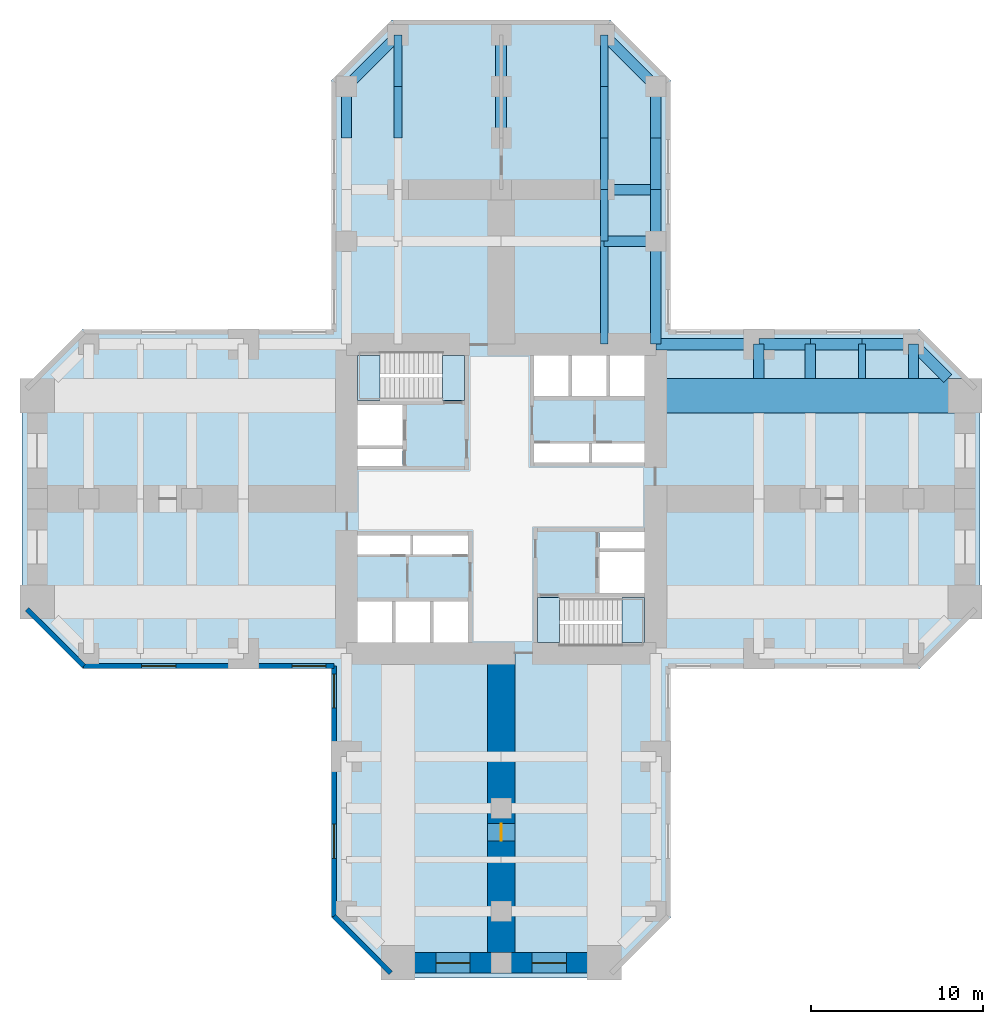
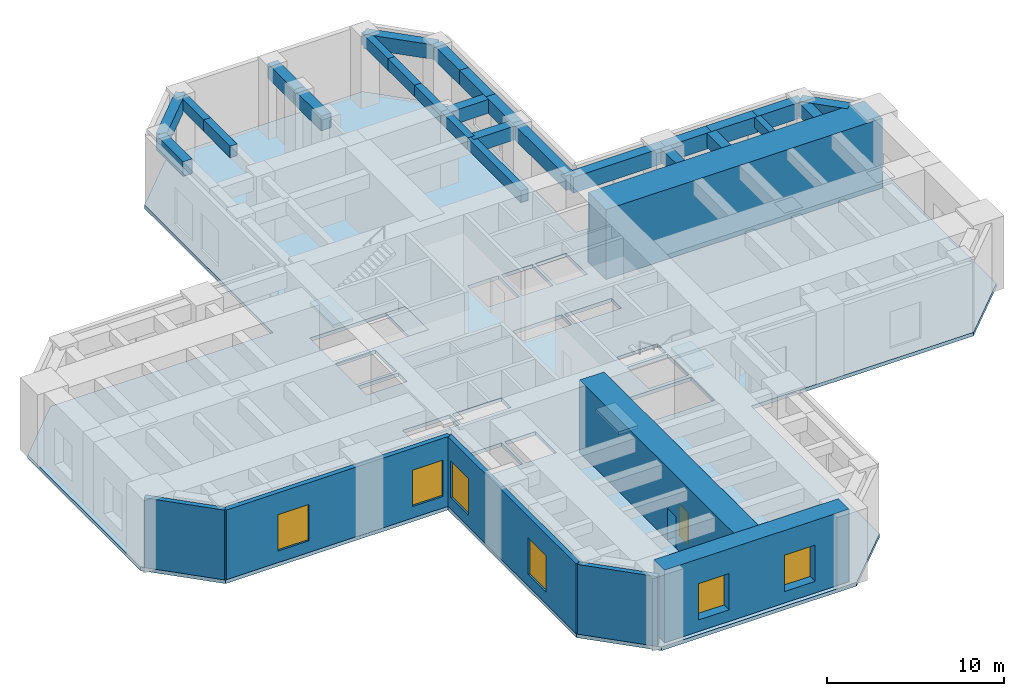
# One storey, part 2 of 6: 28 beams, 6 walls, 6 windows, 5 slabs, 1 door, 7 openings, 2 elements without a shape of their own.
"""IFC4 building model written with IfcOpenShell, lengths in metres."""

from ifc_helpers import new_model, si_unit, direction, frame, frame_2d, origin, origin_2d, place, context, subcontext, project, spatial, polyline, rectangle, hollow_rectangle, outline, extrude, material, layer, layer_set, constituent, constituent_set, material_profile, profile_set, type_object, element, fill, aggregate, save


model = new_model("IFC4")

# Units and contexts
model_context = context("Model", 3, precision=1e-05, world=origin(), true_north=direction((0.0, 1.0)))
body_context = subcontext(model_context, "Body", "Model", "MODEL_VIEW")
ifc_project = project(units=[si_unit("LENGTHUNIT", "METRE"), si_unit("AREAUNIT", "SQUARE_METRE"), si_unit("VOLUMEUNIT", "CUBIC_METRE"), si_unit("PLANEANGLEUNIT", "RADIAN"), si_unit("MASSUNIT", "GRAM", prefix="KILO")], contexts=[model_context])

# Site, building, storey
site_placement = place(None, origin())
site = spatial("IfcSite", under=ifc_project, at=site_placement, CompositionType="ELEMENT")
building_placement = place(site_placement, origin())
building = spatial("IfcBuilding", under=site, at=building_placement, Name="Torre Cruceta", CompositionType="ELEMENT")
storey_placement = place(building_placement, frame((0.0, 0.0, 18.5)))
storey = spatial("IfcBuildingStorey", under=building, at=storey_placement, Name="L04", CompositionType="ELEMENT", Elevation=18.5)

# Beams
ifc_material_1 = material(Name="Concrete G60 (fck 60 MPa)", Category="concrete")
ifc_material_profile_1 = material_profile(ifc_material_1, rectangle(XDim=0.64990234375, YDim=1.0, at=origin_2d()), Name="RC 650X1000")
ifc_profile_set_1 = profile_set([ifc_material_profile_1], Name="Concrete G60 (fck 60 MPa)")
beam_type_1 = type_object("IfcBeamType", Name="ARM CENTRE BEAM RC 650X1000", PredefinedType="BEAM", material=ifc_profile_set_1)
for number, where, z_axis, x_axis, name in (
    (1, (0.0, 21.0, 4.300048828125), (0.0, 1.0, 0.0), (-1.0, 0.0, 0.0), "MB1 L04 N centre 1"),
    (2, (0.0, 24.0, 4.300048828125), (0.0, 1.0, 0.0), (-1.0, 0.0, 0.0), "MB1 L04 N centre 2"),
):
    element("IfcBeam", number, at=place(storey_placement, frame(where, z_axis=z_axis, x_axis=x_axis)), inside=storey, type_object=beam_type_1, Name=name, PredefinedType="BEAM", context=body_context, shape_type="SweptSolid", body=[
        extrude(rectangle(XDim=0.64990234375, YDim=1.0, at=origin_2d()), origin(), (0.0, 0.0, 1.0), 3.0),
    ])
ifc_material_2 = material(Name="Concrete G60 (fck 60 MPa)", Category="concrete")
ifc_material_profile_2 = material_profile(ifc_material_2, rectangle(XDim=0.449951171875, YDim=0.800048828125, at=origin_2d()), Name="RC 450X800")
ifc_profile_set_2 = profile_set([ifc_material_profile_2], Name="Concrete G60 (fck 60 MPa)")
beam_type_2 = type_object("IfcBeamType", Name="COLUMN LINE BEAM RC 450X800", PredefinedType="BEAM", material=ifc_profile_set_2)
beam_1_placement = place(storey_placement, frame((6.0, 9.0, 4.39990234375), z_axis=(0.0, 1.0, 0.0), x_axis=(-1.0, 0.0, 0.0)))
element("IfcBeam", 3, at=beam_1_placement, inside=storey, type_object=beam_type_2, Name="LB1 L04 N col- 1", PredefinedType="BEAM", context=body_context, shape_type="SweptSolid", body=[
    extrude(rectangle(XDim=0.449951171875, YDim=0.800048828125, at=origin_2d()), origin(), (0.0, 0.0, 1.0), 6.0),
])
for number, where, z_axis, x_axis, name in (
    (4, (6.0, 15.0, 4.39990234375), (0.0, 1.0, 0.0), (-1.0, 0.0, 0.0), "LB1 L04 N col- 2"),
    (5, (6.0, 18.0, 4.39990234375), (0.0, 1.0, 0.0), (-1.0, 0.0, 0.0), "LB1 L04 N col- 3"),
    (6, (6.0, 21.0, 4.39990234375), (0.0, 1.0, 0.0), (-1.0, 0.0, 0.0), "LB1 L04 N col- 4"),
    (7, (6.0, 24.0, 4.39990234375), (0.0, 1.0, 0.0), (-1.0, 0.0, 0.0), "LB1 L04 N col- 5"),
    (8, (-6.0, 21.0, 4.39990234375), (0.0, 1.0, 0.0), (-1.0, 0.0, 0.0), "LB1 L04 N col+ 4"),
    (9, (-6.0, 24.0, 4.39990234375), (0.0, 1.0, 0.0), (-1.0, 0.0, 0.0), "LB1 L04 N col+ 5"),
):
    element("IfcBeam", number, at=place(storey_placement, frame(where, z_axis=z_axis, x_axis=x_axis)), inside=storey, type_object=beam_type_2, Name=name, PredefinedType="BEAM", context=body_context, shape_type="SweptSolid", body=[
        extrude(rectangle(XDim=0.449951171875, YDim=0.800048828125, at=origin_2d()), origin(), (0.0, 0.0, 1.0), 3.0),
    ])
ifc_material_3 = material(Name="Concrete G60 (fck 60 MPa)", Category="concrete")
ifc_material_profile_3 = material_profile(ifc_material_3, rectangle(XDim=0.60009765625, YDim=0.949951171875, at=origin_2d()), Name="RC 600X950")
ifc_profile_set_3 = profile_set([ifc_material_profile_3], Name="Concrete G60 (fck 60 MPa)")
beam_type_3 = type_object("IfcBeamType", Name="CROSS BEAM RC 600X950", PredefinedType="BEAM", material=ifc_profile_set_3)
for number, where, z_axis, x_axis, name in (
    (10, (9.0, 15.0, 4.324951171875), (-1.0, 0.0, 0.0), (0.0, -1.0, 0.0), "GB1 L04 N cross15 1"),
    (11, (9.0, 18.0, 4.324951171875), (-1.0, 0.0, 0.0), (0.0, -1.0, 0.0), "GB1 L04 N cross18 1"),
):
    element("IfcBeam", number, at=place(storey_placement, frame(where, z_axis=z_axis, x_axis=x_axis)), inside=storey, type_object=beam_type_3, Name=name, PredefinedType="BEAM", context=body_context, shape_type="SweptSolid", body=[
        extrude(rectangle(XDim=0.60009765625, YDim=0.949951171875, at=origin_2d()), origin(), (0.0, 0.0, 1.0), 3.0),
    ])
for number, where, z_axis, x_axis, name in (
    (12, (15.0, 7.0, 4.324951171875), (0.0, 1.0, 0.0), (-1.0, 0.0, 0.0), "GB1 L04 E cross15 4"),
    (13, (18.0, 7.0, 4.324951171875), (0.0, 1.0, 0.0), (-1.0, 0.0, 0.0), "GB1 L04 E cross18 4"),
    (14, (24.0, 7.0, 4.324951171875), (0.0, 1.0, 0.0), (-1.0, 0.0, 0.0), "GB1 L04 E cross24 4"),
):
    element("IfcBeam", number, at=place(storey_placement, frame(where, z_axis=z_axis, x_axis=x_axis)), inside=storey, type_object=beam_type_3, Name=name, PredefinedType="BEAM", context=body_context, shape_type="SweptSolid", body=[
        extrude(rectangle(XDim=0.60009765625, YDim=0.949951171875, at=origin_2d()), origin(), (0.0, 0.0, 1.0), 2.0),
    ])
ifc_material_4 = material(Name="Concrete G60 (fck 60 MPa)", Category="concrete")
ifc_material_profile_4 = material_profile(ifc_material_4, rectangle(XDim=0.39990234375, YDim=0.699951171875, at=origin_2d()), Name="RC 400X700")
ifc_profile_set_4 = profile_set([ifc_material_profile_4], Name="Concrete G60 (fck 60 MPa)")
beam_type_4 = type_object("IfcBeamType", Name="SECONDARY BEAM RC 400X700", PredefinedType="JOIST", material=ifc_profile_set_4)
beam_2_placement = place(storey_placement, frame((21.0, 7.0, 4.449951171875), z_axis=(0.0, 1.0, 0.0), x_axis=(-1.0, 0.0, 0.0)))
element("IfcBeam", 15, at=beam_2_placement, inside=storey, type_object=beam_type_4, Name="JB1 L04 E sec21 4", PredefinedType="JOIST", context=body_context, shape_type="SweptSolid", body=[
    extrude(rectangle(XDim=0.39990234375, YDim=0.699951171875, at=origin_2d()), origin(), (0.0, 0.0, 1.0), 2.0),
])
ifc_material_5 = material(Name="Concrete G60 (fck 60 MPa)", Category="concrete")
ifc_material_profile_5 = material_profile(ifc_material_5, rectangle(XDim=0.60009765625, YDim=1.0, at=origin_2d()), Name="RC 600X1000")
ifc_profile_set_5 = profile_set([ifc_material_profile_5], Name="Concrete G60 (fck 60 MPa)")
beam_type_5 = type_object("IfcBeamType", Name="SPANDREL BEAM RC 600X1000", PredefinedType="SPANDREL", material=ifc_profile_set_5)
beam_3_placement = place(storey_placement, frame((9.0, 9.0, 4.300048828125), z_axis=(0.0, 1.0, 0.0), x_axis=(-1.0, 0.0, 0.0)))
element("IfcBeam", 16, at=beam_3_placement, inside=storey, type_object=beam_type_5, Name="SB1 L04 N side- 1", PredefinedType="SPANDREL", context=body_context, shape_type="SweptSolid", body=[
    extrude(rectangle(XDim=0.60009765625, YDim=1.0, at=origin_2d()), origin(), (0.0, 0.0, 1.0), 6.0),
])
for number, where, z_axis, x_axis, name in (
    (17, (9.0, 15.0, 4.300048828125), (0.0, 1.0, 0.0), (-1.0, 0.0, 0.0), "SB1 L04 N side- 2"),
    (18, (9.0, 18.0, 4.300048828125), (0.0, 1.0, 0.0), (-1.0, 0.0, 0.0), "SB1 L04 N side- 3"),
    (19, (9.0, 21.0, 4.300048828125), (0.0, 1.0, 0.0), (-1.0, 0.0, 0.0), "SB1 L04 N side- 4"),
):
    element("IfcBeam", number, at=place(storey_placement, frame(where, z_axis=z_axis, x_axis=x_axis)), inside=storey, type_object=beam_type_5, Name=name, PredefinedType="SPANDREL", context=body_context, shape_type="SweptSolid", body=[
        extrude(rectangle(XDim=0.60009765625, YDim=1.0, at=origin_2d()), origin(), (0.0, 0.0, 1.0), 3.0),
    ])
beam_4_placement = place(storey_placement, frame((9.0, 24.0, 4.300048828125), z_axis=(-0.707106781187, 0.707106781187, 0.0), x_axis=(-0.707106781187, -0.707106781187, 0.0)))
element("IfcBeam", 20, at=beam_4_placement, inside=storey, type_object=beam_type_5, Name="SB1 L04 N side- 5", PredefinedType="SPANDREL", context=body_context, shape_type="SweptSolid", body=[
    extrude(rectangle(XDim=0.60009765625, YDim=1.0, at=origin_2d()), origin(), (0.0, 0.0, 1.0), 4.24267578125),
])
beam_5_placement = place(storey_placement, frame((-9.0, 21.0, 4.300048828125), z_axis=(0.0, 1.0, 0.0), x_axis=(-1.0, 0.0, 0.0)))
element("IfcBeam", 21, at=beam_5_placement, inside=storey, type_object=beam_type_5, Name="SB1 L04 N side+ 4", PredefinedType="SPANDREL", context=body_context, shape_type="SweptSolid", body=[
    extrude(rectangle(XDim=0.60009765625, YDim=1.0, at=origin_2d()), origin(), (0.0, 0.0, 1.0), 3.0),
])
beam_6_placement = place(storey_placement, frame((-9.0, 24.0, 4.300048828125), z_axis=(0.707106781187, 0.707106781187, 0.0), x_axis=(-0.707106781187, 0.707106781187, 0.0)))
element("IfcBeam", 22, at=beam_6_placement, inside=storey, type_object=beam_type_5, Name="SB1 L04 N side+ 5", PredefinedType="SPANDREL", context=body_context, shape_type="SweptSolid", body=[
    extrude(rectangle(XDim=0.60009765625, YDim=1.0, at=origin_2d()), origin(), (0.0, 0.0, 1.0), 4.24267578125),
])
ifc_material_6 = material(Name="Concrete G60 (fck 60 MPa)", Category="concrete")
ifc_material_profile_6 = material_profile(ifc_material_6, rectangle(XDim=0.64990234375, YDim=1.10009765625, at=origin_2d()), Name="RC 650X1100")
ifc_profile_set_6 = profile_set([ifc_material_profile_6], Name="Concrete G60 (fck 60 MPa)")
beam_type_6 = type_object("IfcBeamType", Name="SPANDREL BEAM RC 650X1100", PredefinedType="SPANDREL", material=ifc_profile_set_6)
beam_7_placement = place(storey_placement, frame((9.0, 9.0, 4.25), z_axis=(1.0, 0.0, 0.0), x_axis=(0.0, 1.0, 0.0)))
element("IfcBeam", 23, at=beam_7_placement, inside=storey, type_object=beam_type_6, Name="SB3 L04 E side+ 1", PredefinedType="SPANDREL", context=body_context, shape_type="SweptSolid", body=[
    extrude(rectangle(XDim=0.64990234375, YDim=1.10009765625, at=origin_2d()), origin(), (0.0, 0.0, 1.0), 6.0),
])
for number, where, z_axis, x_axis, name in (
    (24, (15.0, 9.0, 4.25), (1.0, 0.0, 0.0), (0.0, 1.0, 0.0), "SB3 L04 E side+ 2"),
    (25, (18.0, 9.0, 4.25), (1.0, 0.0, 0.0), (0.0, 1.0, 0.0), "SB3 L04 E side+ 3"),
    (26, (21.0, 9.0, 4.25), (1.0, 0.0, 0.0), (0.0, 1.0, 0.0), "SB3 L04 E side+ 4"),
):
    element("IfcBeam", number, at=place(storey_placement, frame(where, z_axis=z_axis, x_axis=x_axis)), inside=storey, type_object=beam_type_6, Name=name, PredefinedType="SPANDREL", context=body_context, shape_type="SweptSolid", body=[
        extrude(rectangle(XDim=0.64990234375, YDim=1.10009765625, at=origin_2d()), origin(), (0.0, 0.0, 1.0), 3.0),
    ])
beam_8_placement = place(storey_placement, frame((24.0, 9.0, 4.25), z_axis=(0.707106781187, -0.707106781187, 0.0), x_axis=(0.707106781187, 0.707106781187, 0.0)))
element("IfcBeam", 27, at=beam_8_placement, inside=storey, type_object=beam_type_6, Name="SB3 L04 E side+ 5", PredefinedType="SPANDREL", context=body_context, shape_type="SweptSolid", body=[
    extrude(rectangle(XDim=0.64990234375, YDim=1.10009765625, at=origin_2d()), origin(), (0.0, 0.0, 1.0), 2.828369140625),
])
ifc_material_7 = material(Name="Concrete G60 (fck 60 MPa)", Category="concrete")
ifc_material_profile_7 = material_profile(ifc_material_7, rectangle(XDim=2.0, YDim=4.800048828125, at=origin_2d()), Name="RC 2000X4800")
ifc_profile_set_7 = profile_set([ifc_material_profile_7], Name="Concrete G60 (fck 60 MPa)")
beam_type_7 = type_object("IfcBeamType", Name="TRANSFER GIRDER RC 2000X4800", PredefinedType="BEAM", material=ifc_profile_set_7)
beam_9_placement = place(storey_placement, frame((9.0, 6.0, 2.39990234375), z_axis=(1.0, 0.0, 0.0), x_axis=(0.0, 1.0, 0.0)))
element("IfcBeam", 28, at=beam_9_placement, inside=storey, type_object=beam_type_7, Name="TG1 L04 E col+", PredefinedType="BEAM", context=body_context, shape_type="SweptSolid", body=[
    extrude(rectangle(XDim=2.0, YDim=4.800048828125, at=origin_2d()), origin(), (0.0, 0.0, 1.0), 18.0),
])

# Slab
ifc_material_8 = material(Name="Concrete G35 (fck 35 MPa)", Category="concrete")
ifc_layer_1 = layer(ifc_material_8, 0.25)
ifc_layer_set_1 = layer_set([ifc_layer_1], Name="Concrete G35 (fck 35 MPa)")
slab_type_1 = type_object("IfcSlabType", Name="FLOOR SLAB 250", PredefinedType="FLOOR", material=ifc_layer_set_1)
slab_1_placement = place(storey_placement, frame((0.0, 0.0, -0.25)))
element("IfcSlab", 29, at=slab_1_placement, inside=storey, type_object=slab_type_1, Name="Floor Slab L04", PredefinedType="FLOOR", context=body_context, shape_type="SweptSolid", body=[
    extrude(outline(polyline([(9.8701171875, -9.8701171875), (9.8701171875, -24.3603515625), (6.3603515625, -27.8701171875), (-6.3603515625, -27.8701171875), (-9.8701171875, -24.3603515625), (-9.8701171875, -9.8701171875), (-24.3603515625, -9.8701171875), (-27.8701171875, -6.3603515625), (-27.8701171875, 6.3603515625), (-24.3603515625, 9.8701171875), (-9.8701171875, 9.8701171875), (-9.8701171875, 24.3603515625), (-6.3603515625, 27.8701171875), (6.3603515625, 27.8701171875), (9.8701171875, 24.3603515625), (9.8701171875, 9.8701171875), (24.3603515625, 9.8701171875), (27.8701171875, 6.3603515625), (27.8701171875, -6.3603515625), (24.3603515625, -9.8701171875), (9.8701171875, -9.8701171875)]), holes=[polyline([(1.925048828125, 5.97509765625), (3.933349609375, 5.97509765625), (3.933349609375, 8.35009765625), (1.925048828125, 8.35009765625), (1.925048828125, 5.97509765625)]), polyline([(4.13330078125, 5.97509765625), (6.1416015625, 5.97509765625), (6.1416015625, 8.35009765625), (4.13330078125, 8.35009765625), (4.13330078125, 5.97509765625)]), polyline([(6.341552734375, 5.97509765625), (8.35009765625, 5.97509765625), (8.35009765625, 8.35009765625), (6.341552734375, 8.35009765625), (6.341552734375, 5.97509765625)]), polyline([(1.925048828125, 2.125), (5.125, 2.125), (5.125, 3.22509765625), (1.925048828125, 3.22509765625), (1.925048828125, 2.125)]), polyline([(5.27490234375, 2.125), (8.35009765625, 2.125), (8.35009765625, 3.22509765625), (5.27490234375, 3.22509765625), (5.27490234375, 2.125)]), polyline([(-8.35009765625, 3.10009765625), (-5.72509765625, 3.10009765625), (-5.72509765625, 5.47509765625), (-8.35009765625, 5.47509765625), (-8.35009765625, 3.10009765625)]), polyline([(-8.35009765625, 1.925048828125), (-5.72509765625, 1.925048828125), (-5.72509765625, 2.89990234375), (-8.35009765625, 2.89990234375), (-8.35009765625, 1.925048828125)]), polyline([(-3.933349609375, -8.35009765625), (-1.925048828125, -8.35009765625), (-1.925048828125, -5.97509765625), (-3.933349609375, -5.97509765625), (-3.933349609375, -8.35009765625)]), polyline([(-6.1416015625, -8.35009765625), (-4.13330078125, -8.35009765625), (-4.13330078125, -5.97509765625), (-6.1416015625, -5.97509765625), (-6.1416015625, -8.35009765625)]), polyline([(-8.35009765625, -8.35009765625), (-6.341552734375, -8.35009765625), (-6.341552734375, -5.97509765625), (-8.35009765625, -5.97509765625), (-8.35009765625, -8.35009765625)]), polyline([(-5.125, -3.22509765625), (-1.925048828125, -3.22509765625), (-1.925048828125, -2.125), (-5.125, -2.125), (-5.125, -3.22509765625)]), polyline([(-8.35009765625, -3.22509765625), (-5.27490234375, -3.22509765625), (-5.27490234375, -2.125), (-8.35009765625, -2.125), (-8.35009765625, -3.22509765625)]), polyline([(5.72509765625, -5.47509765625), (8.35009765625, -5.47509765625), (8.35009765625, -3.10009765625), (5.72509765625, -3.10009765625), (5.72509765625, -5.47509765625)]), polyline([(5.72509765625, -2.89990234375), (8.35009765625, -2.89990234375), (8.35009765625, -1.925048828125), (5.72509765625, -1.925048828125), (5.72509765625, -2.89990234375)]), polyline([(-8.35009765625, 5.72509765625), (-8.35009765625, 8.35009765625), (-3.39990234375, 8.35009765625), (-2.125, 8.35009765625), (-2.125, 5.72509765625), (-3.39990234375, 5.72509765625), (-8.35009765625, 5.72509765625)]), polyline([(2.125, -5.72509765625), (3.39990234375, -5.72509765625), (8.35009765625, -5.72509765625), (8.35009765625, -8.35009765625), (3.39990234375, -8.35009765625), (2.125, -8.35009765625), (2.125, -5.72509765625)])]), origin(), (0.0, 0.0, 1.0), 0.25),
])

# Stair, slab
ifc_material_9 = material(Name="Concrete G30 (fck 30 MPa)", Category="concrete")
stair_type = type_object("IfcStairType", Name="STAIR HALF-TURN 1300", PredefinedType="HALF_TURN_STAIR", material=ifc_material_9)
stair_1_placement = place(storey_placement, origin())
stair_1 = element("IfcStair", 30, at=stair_1_placement, inside=storey, type_object=stair_type, Name="Stair ST1 L04", PredefinedType="HALF_TURN_STAIR")
ifc_material_10 = material(Name="Concrete G30 (fck 30 MPa)", Category="concrete")
ifc_layer_2 = layer(ifc_material_10, 0.199951171875)
ifc_layer_set_2 = layer_set([ifc_layer_2], Name="Concrete G30 (fck 30 MPa)")
slab_type_2 = type_object("IfcSlabType", Name="STAIR LANDING 200", PredefinedType="LANDING", material=ifc_layer_set_2)
slab_2_placement = place(storey_placement, frame((0.0, 0.0, 2.300048828125)))
slab_2 = element("IfcSlab", 31, at=slab_2_placement, type_object=slab_type_2, Name="ST1 landing 1", PredefinedType="LANDING", context=body_context, shape_type="SweptSolid", body=[
    extrude(outline(polyline([(-8.35009765625, 5.72509765625), (-7.0400390625, 5.72509765625), (-7.0400390625, 8.35009765625), (-8.35009765625, 8.35009765625), (-8.35009765625, 5.72509765625)])), origin(), (0.0, 0.0, 1.0), 0.199951171875),
])
aggregate(stair_1, [slab_2])

stair_2_placement = place(storey_placement, origin())
stair_2 = element("IfcStair", 32, at=stair_2_placement, inside=storey, type_object=stair_type, Name="Stair ST2 L04", PredefinedType="HALF_TURN_STAIR")
slab_3_placement = place(storey_placement, frame((0.0, 0.0, 2.300048828125)))
slab_3 = element("IfcSlab", 33, at=slab_3_placement, type_object=slab_type_2, Name="ST2 landing 1", PredefinedType="LANDING", context=body_context, shape_type="SweptSolid", body=[
    extrude(outline(polyline([(7.0400390625, -8.35009765625), (8.35009765625, -8.35009765625), (8.35009765625, -5.72509765625), (7.0400390625, -5.72509765625), (7.0400390625, -8.35009765625)])), origin(), (0.0, 0.0, 1.0), 0.199951171875),
])
aggregate(stair_2, [slab_3])

# Slabs
slab_4_placement = place(storey_placement, frame((0.0, 0.0, -0.199951171875)))
element("IfcSlab", 34, at=slab_4_placement, inside=storey, type_object=slab_type_2, Name="Stair ST1 floor landing L04", PredefinedType="LANDING", context=body_context, shape_type="SweptSolid", body=[
    extrude(outline(polyline([(-2.125, 8.35009765625), (-2.125, 5.72509765625), (-3.39990234375, 5.72509765625), (-3.39990234375, 8.35009765625), (-2.125, 8.35009765625)])), origin(), (0.0, 0.0, 1.0), 0.199951171875),
])
slab_5_placement = place(storey_placement, frame((0.0, 0.0, -0.199951171875)))
element("IfcSlab", 35, at=slab_5_placement, inside=storey, type_object=slab_type_2, Name="Stair ST2 floor landing L04", PredefinedType="LANDING", context=body_context, shape_type="SweptSolid", body=[
    extrude(outline(polyline([(2.125, -8.35009765625), (2.125, -5.72509765625), (3.39990234375, -5.72509765625), (3.39990234375, -8.35009765625), (2.125, -8.35009765625)])), origin(), (0.0, 0.0, 1.0), 0.199951171875),
])

# Wall
ifc_material_11 = material(Name="Concrete G30 (fck 30 MPa)", Category="concrete")
ifc_layer_3 = layer(ifc_material_11, 0.300048828125)
ifc_layer_set_3 = layer_set([ifc_layer_3], Name="Concrete G30 (fck 30 MPa)")
wall_type_1 = type_object("IfcWallType", Name="EXPOSED CONCRETE FACADE WALL 300", PredefinedType="SOLIDWALL", material=ifc_layer_set_3)
wall_1_placement = place(storey_placement, frame((-27.60009765625, -6.418212890625, 0.0), z_axis=(0.0, 0.0, 1.0), x_axis=(0.707106781187, -0.707106781187, 0.0)))
element("IfcWall", 36, at=wall_1_placement, inside=storey, type_object=wall_type_1, Name="EW1 facade wall L04 W chamfer 13", PredefinedType="SOLIDWALL", context=body_context, shape_type="SweptSolid", body=[
    extrude(rectangle(XDim=4.66943359375, YDim=0.300048828125, at=frame_2d((2.334716796875, 0.0))), origin(), (0.0, 0.0, 1.0), 4.800048828125),
])

# Wall, openings, windows
wall_2_placement = place(storey_placement, frame((-24.29833984375, -9.719970703125, 0.0), z_axis=(0.0, 0.0, 1.0), x_axis=(1.0, 0.0, 0.0)))
wall_2 = element("IfcWall", 37, at=wall_2_placement, inside=storey, type_object=wall_type_1, Name="EW1 facade wall L04 W side 14", PredefinedType="SOLIDWALL", context=body_context, shape_type="SweptSolid", body=[
    extrude(rectangle(XDim=14.578369140625, YDim=0.300048828125, at=frame_2d((7.2890625, 0.0))), origin(), (0.0, 0.0, 1.0), 4.800048828125),
])
opening_1_placement = place(wall_2_placement, frame((3.37353515625, 0.0, 0.800048828125)))
opening_1 = element("IfcOpeningElement", 38, at=opening_1_placement, cuts=wall_2, Name="Opening WN3", PredefinedType="OPENING", context=body_context, shape_type="SweptSolid", body=[
    extrude(rectangle(XDim=2.0, YDim=2.5, at=frame_2d((1.0, 1.25))), frame((0.0, 0.159912109375, 0.0), z_axis=(0.0, -1.0, 0.0), x_axis=(1.0, 0.0, 0.0)), (0.0, 0.0, 1.0), 0.320068359375),
])
opening_2_placement = place(wall_2_placement, frame((12.120361328125, 0.0, 0.800048828125)))
opening_2 = element("IfcOpeningElement", 39, at=opening_2_placement, cuts=wall_2, Name="Opening WN3", PredefinedType="OPENING", context=body_context, shape_type="SweptSolid", body=[
    extrude(rectangle(XDim=2.0, YDim=2.5, at=frame_2d((1.0, 1.25))), frame((0.0, 0.159912109375, 0.0), z_axis=(0.0, -1.0, 0.0), x_axis=(1.0, 0.0, 0.0)), (0.0, 0.0, 1.0), 0.320068359375),
])
ifc_material_12 = material(Name="Aluminium window frame", Category="aluminium")
ifc_constituent_1 = constituent(ifc_material_12, Name="Frame")
ifc_material_13 = material(Name="Laminated insulating glass unit, low-iron clear", Category="glass")
ifc_constituent_2 = constituent(ifc_material_13, Name="Glazing")
ifc_constituent_set_1 = constituent_set(constituents=[ifc_constituent_1, ifc_constituent_2], Name="Aluminium window")
window_type = type_object("IfcWindowType", Name="PLANT LOUVRE 2000X2500", PartitioningType="SINGLE_PANEL", PredefinedType="WINDOW", material=ifc_constituent_set_1)
window_1_placement = place(opening_1_placement, origin())
window_1 = element("IfcWindow", 40, at=window_1_placement, inside=storey, type_object=window_type, Name="WN3 L04 W 2", OverallHeight=2.5, OverallWidth=2.0, PartitioningType="SINGLE_PANEL", PredefinedType="WINDOW", context=body_context, shape_type="SweptSolid", body=[
    extrude(hollow_rectangle(XDim=2.0, YDim=2.5, WallThickness=0.06005859375, at=frame_2d((1.0, 1.25))), frame((0.0, 0.030029296875, 0.0), z_axis=(0.0, -1.0, 0.0), x_axis=(1.0, 0.0, 0.0)), (0.0, 0.0, 1.0), 0.06005859375),
    extrude(rectangle(XDim=1.87890625, YDim=2.37890625, at=frame_2d((1.0, 1.25))), frame((0.0, 0.030029296875, 0.0), z_axis=(0.0, -1.0, 0.0), x_axis=(1.0, 0.0, 0.0)), (0.0, 0.0, 1.0), 0.06005859375),
])
fill(opening_1, window_1)
window_2_placement = place(opening_2_placement, origin())
window_2 = element("IfcWindow", 41, at=window_2_placement, inside=storey, type_object=window_type, Name="WN3 L04 W 5", OverallHeight=2.5, OverallWidth=2.0, PartitioningType="SINGLE_PANEL", PredefinedType="WINDOW", context=body_context, shape_type="SweptSolid", body=[
    extrude(hollow_rectangle(XDim=2.0, YDim=2.5, WallThickness=0.06005859375, at=frame_2d((1.0, 1.25))), frame((0.0, 0.030029296875, 0.0), z_axis=(0.0, -1.0, 0.0), x_axis=(1.0, 0.0, 0.0)), (0.0, 0.0, 1.0), 0.06005859375),
    extrude(rectangle(XDim=1.87890625, YDim=2.37890625, at=frame_2d((1.0, 1.25))), frame((0.0, 0.030029296875, 0.0), z_axis=(0.0, -1.0, 0.0), x_axis=(1.0, 0.0, 0.0)), (0.0, 0.0, 1.0), 0.06005859375),
])
fill(opening_2, window_2)

wall_3_placement = place(storey_placement, frame((-9.719970703125, -9.719970703125, 0.0), z_axis=(0.0, 0.0, 1.0), x_axis=(0.0, -1.0, 0.0)))
wall_3 = element("IfcWall", 42, at=wall_3_placement, inside=storey, type_object=wall_type_1, Name="EW1 facade wall L04 S side 15", PredefinedType="SOLIDWALL", context=body_context, shape_type="SweptSolid", body=[
    extrude(rectangle(XDim=14.578369140625, YDim=0.300048828125, at=frame_2d((7.2890625, 0.0))), origin(), (0.0, 0.0, 1.0), 4.800048828125),
])
opening_3_placement = place(wall_3_placement, frame((0.457763671875, 0.0, 0.800048828125)))
opening_3 = element("IfcOpeningElement", 43, at=opening_3_placement, cuts=wall_3, Name="Opening WN3", PredefinedType="OPENING", context=body_context, shape_type="SweptSolid", body=[
    extrude(rectangle(XDim=2.0, YDim=2.5, at=frame_2d((1.0, 1.25))), frame((0.0, 0.159912109375, 0.0), z_axis=(0.0, -1.0, 0.0), x_axis=(1.0, 0.0, 0.0)), (0.0, 0.0, 1.0), 0.320068359375),
])
opening_4_placement = place(wall_3_placement, frame((9.204833984375, 0.0, 0.800048828125)))
opening_4 = element("IfcOpeningElement", 44, at=opening_4_placement, cuts=wall_3, Name="Opening WN3", PredefinedType="OPENING", context=body_context, shape_type="SweptSolid", body=[
    extrude(rectangle(XDim=2.0, YDim=2.5, at=frame_2d((1.0, 1.25))), frame((0.0, 0.159912109375, 0.0), z_axis=(0.0, -1.0, 0.0), x_axis=(1.0, 0.0, 0.0)), (0.0, 0.0, 1.0), 0.320068359375),
])
window_3_placement = place(opening_3_placement, origin())
window_3 = element("IfcWindow", 45, at=window_3_placement, inside=storey, type_object=window_type, Name="WN3 L04 S 1", OverallHeight=2.5, OverallWidth=2.0, PartitioningType="SINGLE_PANEL", PredefinedType="WINDOW", context=body_context, shape_type="SweptSolid", body=[
    extrude(hollow_rectangle(XDim=2.0, YDim=2.5, WallThickness=0.06005859375, at=frame_2d((1.0, 1.25))), frame((0.0, 0.030029296875, 0.0), z_axis=(0.0, -1.0, 0.0), x_axis=(1.0, 0.0, 0.0)), (0.0, 0.0, 1.0), 0.06005859375),
    extrude(rectangle(XDim=1.87890625, YDim=2.37890625, at=frame_2d((1.0, 1.25))), frame((0.0, 0.030029296875, 0.0), z_axis=(0.0, -1.0, 0.0), x_axis=(1.0, 0.0, 0.0)), (0.0, 0.0, 1.0), 0.06005859375),
])
fill(opening_3, window_3)
window_4_placement = place(opening_4_placement, origin())
window_4 = element("IfcWindow", 46, at=window_4_placement, inside=storey, type_object=window_type, Name="WN3 L04 S 4", OverallHeight=2.5, OverallWidth=2.0, PartitioningType="SINGLE_PANEL", PredefinedType="WINDOW", context=body_context, shape_type="SweptSolid", body=[
    extrude(hollow_rectangle(XDim=2.0, YDim=2.5, WallThickness=0.06005859375, at=frame_2d((1.0, 1.25))), frame((0.0, 0.030029296875, 0.0), z_axis=(0.0, -1.0, 0.0), x_axis=(1.0, 0.0, 0.0)), (0.0, 0.0, 1.0), 0.06005859375),
    extrude(rectangle(XDim=1.87890625, YDim=2.37890625, at=frame_2d((1.0, 1.25))), frame((0.0, 0.030029296875, 0.0), z_axis=(0.0, -1.0, 0.0), x_axis=(1.0, 0.0, 0.0)), (0.0, 0.0, 1.0), 0.06005859375),
])
fill(opening_4, window_4)

# Wall
wall_4_placement = place(storey_placement, frame((-9.719970703125, -24.29833984375, 0.0), z_axis=(0.0, 0.0, 1.0), x_axis=(0.707106781187, -0.707106781187, 0.0)))
element("IfcWall", 47, at=wall_4_placement, inside=storey, type_object=wall_type_1, Name="EW1 facade wall L04 S chamfer 16", PredefinedType="SOLIDWALL", context=body_context, shape_type="SweptSolid", body=[
    extrude(rectangle(XDim=4.66943359375, YDim=0.300048828125, at=frame_2d((2.334716796875, 0.0))), origin(), (0.0, 0.0, 1.0), 4.800048828125),
])

# Wall, openings, windows
ifc_material_14 = material(Name="Concrete G60 (fck 60 MPa)", Category="concrete")
ifc_layer_4 = layer(ifc_material_14, 1.199951171875)
ifc_layer_set_4 = layer_set([ifc_layer_4], Name="Concrete G60 (fck 60 MPa)")
wall_type_2 = type_object("IfcWallType", Name="NOSE WALL 1200 G60", PredefinedType="SHEAR", material=ifc_layer_set_4)
wall_5_placement = place(storey_placement, frame((-6.0, -27.0, 0.0), z_axis=(0.0, 0.0, 1.0), x_axis=(1.0, 0.0, 0.0)))
wall_5 = element("IfcWall", 48, at=wall_5_placement, inside=storey, type_object=wall_type_2, Name="NW1 nose wall L04 S", PredefinedType="SHEAR", context=body_context, shape_type="SweptSolid", body=[
    extrude(rectangle(XDim=12.0, YDim=1.199951171875, at=frame_2d((6.0, 0.0))), origin(), (0.0, 0.0, 1.0), 5.0),
])
opening_5_placement = place(wall_5_placement, frame((2.199951171875, 0.0, 0.800048828125)))
opening_5 = element("IfcOpeningElement", 49, at=opening_5_placement, cuts=wall_5, Name="Opening WN3", PredefinedType="OPENING", context=body_context, shape_type="SweptSolid", body=[
    extrude(rectangle(XDim=2.0, YDim=2.5, at=frame_2d((1.0, 1.25))), frame((0.0, 0.60986328125, 0.0), z_axis=(0.0, -1.0, 0.0), x_axis=(1.0, 0.0, 0.0)), (0.0, 0.0, 1.0), 1.219970703125),
])
opening_6_placement = place(wall_5_placement, frame((7.800048828125, 0.0, 0.800048828125)))
opening_6 = element("IfcOpeningElement", 50, at=opening_6_placement, cuts=wall_5, Name="Opening WN3", PredefinedType="OPENING", context=body_context, shape_type="SweptSolid", body=[
    extrude(rectangle(XDim=2.0, YDim=2.5, at=frame_2d((1.0, 1.25))), frame((0.0, 0.60986328125, 0.0), z_axis=(0.0, -1.0, 0.0), x_axis=(1.0, 0.0, 0.0)), (0.0, 0.0, 1.0), 1.219970703125),
])
window_5_placement = place(opening_5_placement, origin())
window_5 = element("IfcWindow", 51, at=window_5_placement, inside=storey, type_object=window_type, Name="WN3 L04 S 1", OverallHeight=2.5, OverallWidth=2.0, PartitioningType="SINGLE_PANEL", PredefinedType="WINDOW", context=body_context, shape_type="SweptSolid", body=[
    extrude(hollow_rectangle(XDim=2.0, YDim=2.5, WallThickness=0.06005859375, at=frame_2d((1.0, 1.25))), frame((0.0, 0.030029296875, 0.0), z_axis=(0.0, -1.0, 0.0), x_axis=(1.0, 0.0, 0.0)), (0.0, 0.0, 1.0), 0.06005859375),
    extrude(rectangle(XDim=1.87890625, YDim=2.37890625, at=frame_2d((1.0, 1.25))), frame((0.0, 0.030029296875, 0.0), z_axis=(0.0, -1.0, 0.0), x_axis=(1.0, 0.0, 0.0)), (0.0, 0.0, 1.0), 0.06005859375),
])
fill(opening_5, window_5)
window_6_placement = place(opening_6_placement, origin())
window_6 = element("IfcWindow", 52, at=window_6_placement, inside=storey, type_object=window_type, Name="WN3 L04 S 2", OverallHeight=2.5, OverallWidth=2.0, PartitioningType="SINGLE_PANEL", PredefinedType="WINDOW", context=body_context, shape_type="SweptSolid", body=[
    extrude(hollow_rectangle(XDim=2.0, YDim=2.5, WallThickness=0.06005859375, at=frame_2d((1.0, 1.25))), frame((0.0, 0.030029296875, 0.0), z_axis=(0.0, -1.0, 0.0), x_axis=(1.0, 0.0, 0.0)), (0.0, 0.0, 1.0), 0.06005859375),
    extrude(rectangle(XDim=1.87890625, YDim=2.37890625, at=frame_2d((1.0, 1.25))), frame((0.0, 0.030029296875, 0.0), z_axis=(0.0, -1.0, 0.0), x_axis=(1.0, 0.0, 0.0)), (0.0, 0.0, 1.0), 0.06005859375),
])
fill(opening_6, window_6)

# Wall, opening, door
ifc_material_15 = material(Name="Concrete G60 (fck 60 MPa)", Category="concrete")
ifc_layer_5 = layer(ifc_material_15, 1.60009765625)
ifc_layer_set_5 = layer_set([ifc_layer_5], Name="Concrete G60 (fck 60 MPa)")
wall_type_3 = type_object("IfcWallType", Name="SPINE WALL 1600 G60", PredefinedType="SHEAR", material=ifc_layer_set_5)
wall_6_placement = place(storey_placement, frame((0.0, -9.0, 0.0), z_axis=(0.0, 0.0, 1.0), x_axis=(0.0, -1.0, 0.0)))
wall_6 = element("IfcWall", 53, at=wall_6_placement, inside=storey, type_object=wall_type_3, Name="SW2 spine wall L04 S", PredefinedType="SHEAR", context=body_context, shape_type="SweptSolid", body=[
    extrude(rectangle(XDim=18.0, YDim=1.60009765625, at=frame_2d((9.0, 0.0))), origin(), (0.0, 0.0, 1.0), 5.0),
])
opening_7_placement = place(wall_6_placement, frame((9.89990234375, 0.0, 0.0)))
opening_7 = element("IfcOpeningElement", 54, at=opening_7_placement, cuts=wall_6, Name="Opening D14", PredefinedType="OPENING", context=body_context, shape_type="SweptSolid", body=[
    extrude(rectangle(XDim=1.0, YDim=2.199951171875, at=frame_2d((0.5, 1.10009765625))), frame((0.0, 0.81005859375, 0.0), z_axis=(0.0, -1.0, 0.0), x_axis=(1.0, 0.0, 0.0)), (0.0, 0.0, 1.0), 1.6201171875),
])
ifc_material_16 = material(Name="Steel DX51D", Category="steel")
ifc_constituent_3 = constituent(ifc_material_16, Name="Leaf and frame")
ifc_material_17 = material(Name="Polyester powder coating", Category="paint")
ifc_constituent_4 = constituent(ifc_material_17, Name="Finish")
ifc_material_18 = material(Name="Fire-resisting glass", Category="glass")
ifc_constituent_5 = constituent(ifc_material_18, Name="Vision panel")
ifc_constituent_set_2 = constituent_set(constituents=[ifc_constituent_3, ifc_constituent_4, ifc_constituent_5], Name="Steel fire door with vision panel")
door_type = type_object("IfcDoorType", Name="FIRE DOOR VISION PANEL 1000X2200", OperationType="SINGLE_SWING_RIGHT", PredefinedType="DOOR", material=ifc_constituent_set_2)
door_placement = place(opening_7_placement, frame((1.0, 0.0, 0.0), z_axis=(0.0, 0.0, 1.0), x_axis=(-1.0, 0.0, 0.0)))
door = element("IfcDoor", 55, at=door_placement, inside=storey, type_object=door_type, Name="D14 L04-S-SP1", OperationType="SINGLE_SWING_LEFT", OverallHeight=2.199951171875, OverallWidth=1.0, PredefinedType="DOOR", context=body_context, shape_type="SweptSolid", body=[
    extrude(rectangle(XDim=1.0, YDim=2.199951171875, at=frame_2d((0.5, 1.10009765625))), frame((0.0, 0.025146484375, 0.0), z_axis=(0.0, -1.0, 0.0), x_axis=(1.0, 0.0, 0.0)), (0.0, 0.0, 1.0), 0.050048828125),
])
fill(opening_7, door)

save(model, "model.ifc")
